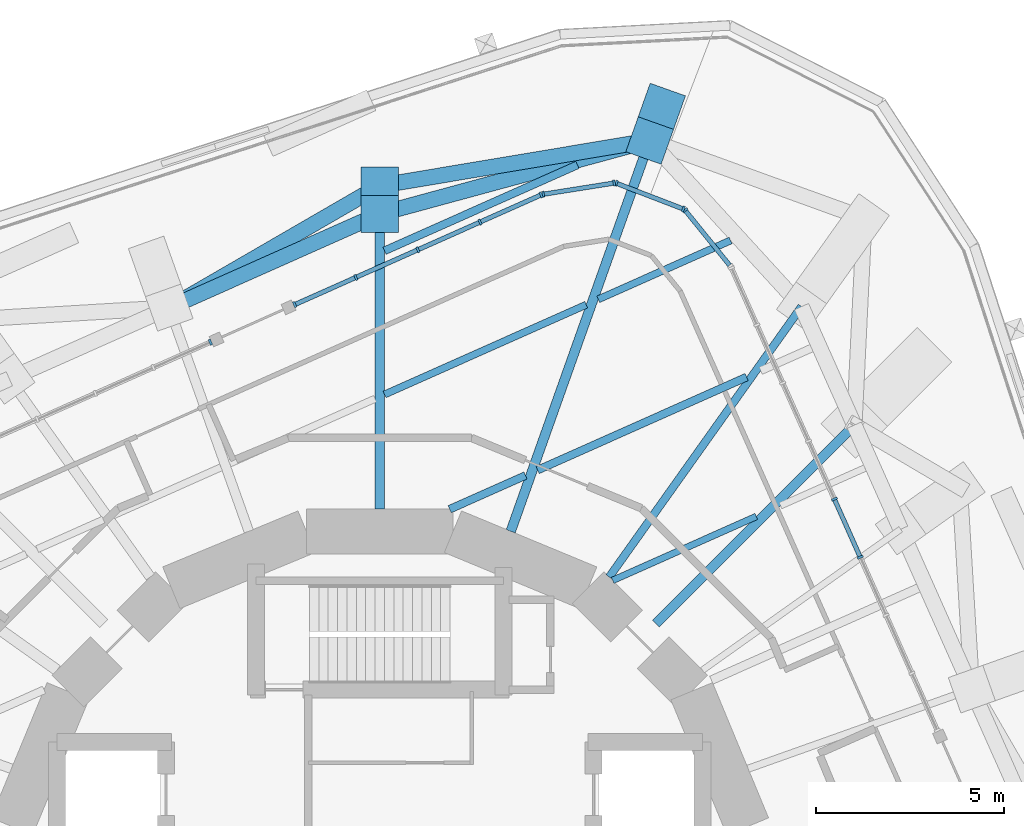
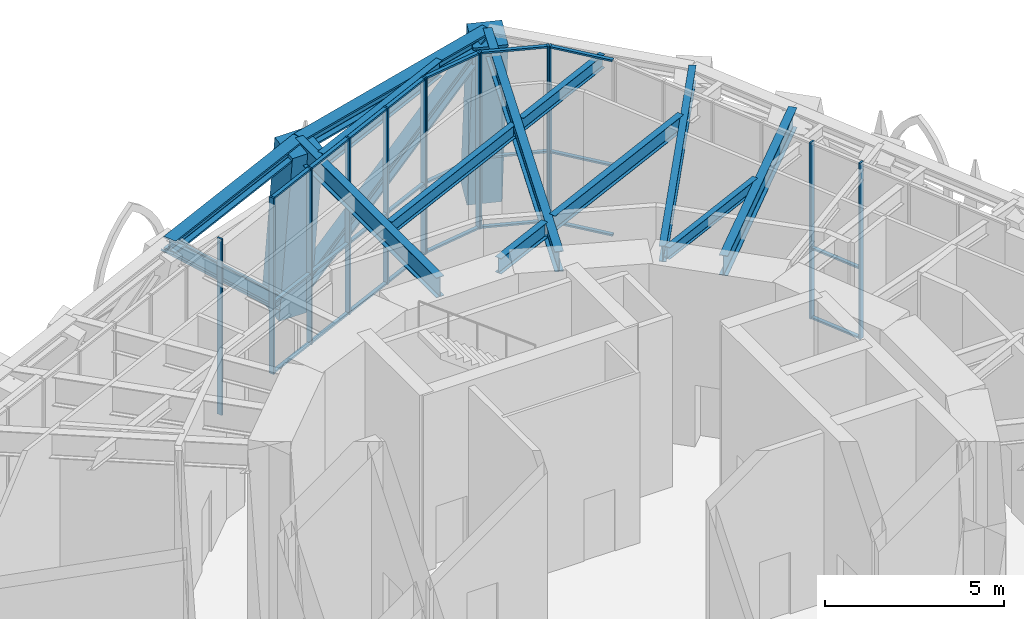
# One storey, part 8 of 18: 42 members, 10 beams, 6 elements without a shape of their own.
"""IFC4 building model written with IfcOpenShell, lengths in metres."""

from ifc_helpers import new_model, si_unit, direction, frame, origin, origin_2d, place, context, subcontext, project, spatial, rectangle, i_section, extrude, material, material_profile, profile_set, type_object, element, aggregate, save


model = new_model("IFC4")

# Units and contexts
model_context = context("Model", 3, precision=1e-05, world=origin(), true_north=direction((0.0, 1.0)))
body_context = subcontext(model_context, "Body", "Model", "MODEL_VIEW")
ifc_project = project(units=[si_unit("LENGTHUNIT", "METRE"), si_unit("AREAUNIT", "SQUARE_METRE"), si_unit("VOLUMEUNIT", "CUBIC_METRE"), si_unit("PLANEANGLEUNIT", "RADIAN"), si_unit("MASSUNIT", "GRAM", prefix="KILO")], contexts=[model_context])

# Site, building, storey
site_placement = place(None, origin())
site = spatial("IfcSite", under=ifc_project, at=site_placement, CompositionType="ELEMENT")
building_placement = place(site_placement, origin())
building = spatial("IfcBuilding", under=site, at=building_placement, Name="Nakasero Lantern House", CompositionType="ELEMENT")
storey_placement = place(building_placement, frame((0.0, 0.0, 176.449951171875)))
storey = spatial("IfcBuildingStorey", under=building, at=storey_placement, Name="L43", CompositionType="ELEMENT", Elevation=176.449951171875)

# Members
ifc_material_1 = material(Name="Steel S355", Category="steel")
ifc_material_profile_1 = material_profile(ifc_material_1, i_section(OverallWidth=0.412109375, OverallDepth=0.4365234375, WebThickness=0.035888671875, FlangeThickness=0.05810546875, FilletRadius=0.01513671875, at=origin_2d()), Name="UC 356x406x467")
ifc_profile_set_1 = profile_set([ifc_material_profile_1], Name="Steel S355")
member_type_1 = type_object("IfcMemberType", Name="Belt truss chord UC 356x406x467", PredefinedType="CHORD", material=ifc_profile_set_1)
member_1_placement = place(storey_placement, frame((7.19482421875, 20.2353515625, 5.581787109375), z_axis=(-0.965015017941, -0.26219461312, 0.0), x_axis=(0.26219461312, -0.965015017941, 0.0)))
element("IfcMember", 1, at=member_1_placement, inside=storey, type_object=member_type_1, Name="Belt truss top chord T4 B5-C08T", PredefinedType="CHORD", context=body_context, shape_type="SweptSolid", body=[
    extrude(i_section(OverallWidth=0.412109375, OverallDepth=0.4365234375, WebThickness=0.035888671875, FlangeThickness=0.05810546875, FilletRadius=0.01513671875, at=origin_2d()), origin(), (0.0, 0.0, 1.0), 7.45556640625),
])
member_2_placement = place(storey_placement, frame((0.0, 18.280517578125, 5.581787109375), z_axis=(-0.913532698569, -0.406765299215, 0.0), x_axis=(0.406765299215, -0.913532698569, 0.0)))
element("IfcMember", 2, at=member_2_placement, inside=storey, type_object=member_type_1, Name="Belt truss top chord T4 B5-C09T", PredefinedType="CHORD", context=body_context, shape_type="SweptSolid", body=[
    extrude(i_section(OverallWidth=0.412109375, OverallDepth=0.4365234375, WebThickness=0.035888671875, FlangeThickness=0.05810546875, FilletRadius=0.01513671875, at=origin_2d()), origin(), (0.0, 0.0, 1.0), 6.142333984375),
])
ifc_material_2 = material(Name="Steel S355", Category="steel")
ifc_material_profile_2 = material_profile(ifc_material_2, i_section(OverallWidth=0.412109375, OverallDepth=0.4365234375, WebThickness=0.035888671875, FlangeThickness=0.05810546875, FilletRadius=0.01513671875, at=origin_2d()), Name="UC 356x406x467")
ifc_profile_set_2 = profile_set([ifc_material_profile_2], Name="Steel S355")
member_type_2 = type_object("IfcMemberType", Name="Belt truss diagonal UC 356x406x467", PredefinedType="BRACE", material=ifc_profile_set_2)
member_3_placement = place(storey_placement, frame((7.19482421875, 20.2353515625, 5.581787109375), z_axis=(-0.761731318786, -0.127454941735, -0.635232741448), x_axis=(0.165028505636, -0.986288797628, 0.0)))
element("IfcMember", 3, at=member_3_placement, inside=storey, type_object=member_type_2, Name="Belt truss diagonal T4-08", PredefinedType="BRACE", context=body_context, shape_type="SweptSolid", body=[
    extrude(i_section(OverallWidth=0.412109375, OverallDepth=0.4365234375, WebThickness=0.035888671875, FlangeThickness=0.05810546875, FilletRadius=0.01513671875, at=origin_2d()), origin(), (0.0, 0.0, 1.0), 9.4453125),
])
member_4_placement = place(storey_placement, frame((0.0, 19.031494140625, -0.418212890625), z_axis=(-0.635169188668, -0.367825526504, 0.679164548412), x_axis=(0.501134222309, -0.865369569162, 0.0)))
element("IfcMember", 4, at=member_4_placement, inside=storey, type_object=member_type_2, Name="Belt truss diagonal T4-09", PredefinedType="BRACE", context=body_context, shape_type="SweptSolid", body=[
    extrude(i_section(OverallWidth=0.412109375, OverallDepth=0.4365234375, WebThickness=0.035888671875, FlangeThickness=0.05810546875, FilletRadius=0.01513671875, at=origin_2d()), origin(), (0.0, 0.0, 1.0), 8.83447265625),
])

# Beams
ifc_material_3 = material(Name="Steel S355", Category="steel")
ifc_material_profile_3 = material_profile(ifc_material_3, i_section(OverallWidth=0.177978515625, OverallDepth=0.406494140625, WebThickness=0.0078125, FlangeThickness=0.0126953125, FilletRadius=0.01025390625, at=origin_2d()), Name="UB 406x178x60")
ifc_profile_set_3 = profile_set([ifc_material_profile_3], Name="Steel S355")
beam_type_1 = type_object("IfcBeamType", Name="Infill beam UB 406x178x60", PredefinedType="JOIST", material=ifc_profile_set_3)
beam_1_placement = place(storey_placement, frame((6.2080078125, 8.5107421875, 5.596923828125), z_axis=(0.9135518518, 0.406722281258, 0.0), x_axis=(-0.406722281258, 0.9135518518, 0.0)))
element("IfcBeam", 5, at=beam_1_placement, inside=storey, type_object=beam_type_1, Name="Infill beam L44 09.3", PredefinedType="JOIST", context=body_context, shape_type="SweptSolid", body=[
    extrude(i_section(OverallWidth=0.177978515625, OverallDepth=0.406494140625, WebThickness=0.0078125, FlangeThickness=0.0126953125, FilletRadius=0.01025390625, at=origin_2d()), origin(), (0.0, 0.0, 1.0), 4.18994140625),
])
ifc_material_4 = material(Name="Steel S355", Category="steel")
ifc_material_profile_4 = material_profile(ifc_material_4, i_section(OverallWidth=0.18994140625, OverallDepth=0.453369140625, WebThickness=0.008544921875, FlangeThickness=0.0126953125, FilletRadius=0.01025390625, at=origin_2d()), Name="UB 457x191x67")
ifc_profile_set_4 = profile_set([ifc_material_profile_4], Name="Steel S355")
beam_type_2 = type_object("IfcBeamType", Name="Infill beam UB 457x191x67", PredefinedType="JOIST", material=ifc_profile_set_4)
beam_2_placement = place(storey_placement, frame((0.126953125, 13.4658203125, 5.5732421875), z_axis=(0.913551328744, 0.40672345611, 0.0), x_axis=(-0.40672345611, 0.913551328744, 0.0)))
element("IfcBeam", 6, at=beam_2_placement, inside=storey, type_object=beam_type_2, Name="Infill beam L44 11.7", PredefinedType="JOIST", context=body_context, shape_type="SweptSolid", body=[
    extrude(i_section(OverallWidth=0.18994140625, OverallDepth=0.453369140625, WebThickness=0.008544921875, FlangeThickness=0.0126953125, FilletRadius=0.01025390625, at=origin_2d()), origin(), (0.0, 0.0, 1.0), 5.885009765625),
])
beam_3_placement = place(storey_placement, frame((5.82568359375, 16.003173828125, 5.5732421875), z_axis=(0.913563480044, 0.406696161685, 0.0), x_axis=(-0.406696161685, 0.913563480044, 0.0)))
element("IfcBeam", 7, at=beam_3_placement, inside=storey, type_object=beam_type_2, Name="Infill beam L44 11.8", PredefinedType="JOIST", context=body_context, shape_type="SweptSolid", body=[
    extrude(i_section(OverallWidth=0.18994140625, OverallDepth=0.453369140625, WebThickness=0.008544921875, FlangeThickness=0.0126953125, FilletRadius=0.01025390625, at=origin_2d()), origin(), (0.0, 0.0, 1.0), 3.858154296875),
])
ifc_material_5 = material(Name="Steel S355", Category="steel")
ifc_material_profile_5 = material_profile(ifc_material_5, i_section(OverallWidth=0.2099609375, OverallDepth=0.53662109375, WebThickness=0.0107421875, FlangeThickness=0.017333984375, FilletRadius=0.0126953125, at=origin_2d()), Name="UB 533x210x101")
ifc_profile_set_5 = profile_set([ifc_material_profile_5], Name="Steel S355")
beam_type_3 = type_object("IfcBeamType", Name="Infill beam UB 533x210x101", PredefinedType="JOIST", material=ifc_profile_set_5)
beam_4_placement = place(storey_placement, frame((0.126953125, 17.297119140625, 5.53173828125), z_axis=(0.913550244227, 0.406725892061, 0.0), x_axis=(-0.406725892061, 0.913550244227, 0.0)))
element("IfcBeam", 8, at=beam_4_placement, inside=storey, type_object=beam_type_3, Name="Infill beam L44 12.3", PredefinedType="JOIST", context=body_context, shape_type="SweptSolid", body=[
    extrude(i_section(OverallWidth=0.2099609375, OverallDepth=0.53662109375, WebThickness=0.0107421875, FlangeThickness=0.017333984375, FilletRadius=0.0126953125, at=origin_2d()), origin(), (0.0, 0.0, 1.0), 5.629150390625),
])
ifc_material_6 = material(Name="Steel S355", Category="steel")
ifc_material_profile_6 = material_profile(ifc_material_6, i_section(OverallWidth=0.208740234375, OverallDepth=0.5283203125, WebThickness=0.009521484375, FlangeThickness=0.01318359375, FilletRadius=0.0126953125, at=origin_2d()), Name="UB 533x210x82")
ifc_profile_set_6 = profile_set([ifc_material_profile_6], Name="Steel S355")
beam_type_4 = type_object("IfcBeamType", Name="Infill beam UB 533x210x82", PredefinedType="JOIST", material=ifc_profile_set_6)
beam_5_placement = place(storey_placement, frame((1.86376953125, 10.407958984375, 5.535888671875), z_axis=(0.913570185623, 0.406681098577, 0.0), x_axis=(-0.406681098577, 0.913570185623, 0.0)))
element("IfcBeam", 9, at=beam_5_placement, inside=storey, type_object=beam_type_4, Name="Infill beam L44 10.3", PredefinedType="JOIST", context=body_context, shape_type="SweptSolid", body=[
    extrude(i_section(OverallWidth=0.208740234375, OverallDepth=0.5283203125, WebThickness=0.009521484375, FlangeThickness=0.01318359375, FilletRadius=0.0126953125, at=origin_2d()), origin(), (0.0, 0.0, 1.0), 2.212158203125),
])
beam_6_placement = place(storey_placement, frame((4.207275390625, 11.451171875, 5.535888671875), z_axis=(0.913533974993, 0.40676243255, 0.0), x_axis=(-0.40676243255, 0.913533974993, 0.0)))
element("IfcBeam", 10, at=beam_6_placement, inside=storey, type_object=beam_type_4, Name="Infill beam L44 10.4", PredefinedType="JOIST", context=body_context, shape_type="SweptSolid", body=[
    extrude(i_section(OverallWidth=0.208740234375, OverallDepth=0.5283203125, WebThickness=0.009521484375, FlangeThickness=0.01318359375, FilletRadius=0.0126953125, at=origin_2d()), origin(), (0.0, 0.0, 1.0), 6.09814453125),
])

# Curtain wall, members
ifc_material_7 = material(Name="Aluminium 6063-T6 and glass", Category="aluminium")
curtain_wall_type = type_object("IfcCurtainWallType", Name="Sky lounge glazing CW-3", PredefinedType="USERDEFINED", material=ifc_material_7)
curtain_wall_1_placement = place(storey_placement, origin())
curtain_wall_1 = element("IfcCurtainWall", 11, at=curtain_wall_1_placement, inside=storey, type_object=curtain_wall_type, Name="Curtain wall CW-3 L43", ObjectType="STICK CURTAIN WALL", PredefinedType="USERDEFINED")
ifc_material_8 = material(Name="Aluminium 6063-T6", Category="aluminium")
ifc_material_profile_7 = material_profile(ifc_material_8, rectangle(XDim=0.06005859375, YDim=0.159912109375, at=origin_2d()), Name="CW-3 mullion 60x160")
ifc_profile_set_7 = profile_set([ifc_material_profile_7], Name="Aluminium 6063-T6")
member_type_3 = type_object("IfcMemberType", Name="Mullion CW-3", PredefinedType="MULLION", material=ifc_profile_set_7)
member_5_placement = place(storey_placement, frame((12.806884765625, 9.129638671875, 0.0), z_axis=(0.0, 0.0, 1.0), x_axis=(-0.406736643076, 0.913545457643, 0.0)))
member_5 = element("IfcMember", 12, at=member_5_placement, type_object=member_type_3, Name="CW-3 mullion 4", PredefinedType="MULLION", context=body_context, shape_type="SweptSolid", body=[
    extrude(rectangle(XDim=0.06005859375, YDim=0.159912109375, at=origin_2d()), origin(), (0.0, 0.0, 1.0), 6.0),
])
member_6_placement = place(storey_placement, frame((12.117919921875, 10.677001953125, 0.0), z_axis=(0.0, 0.0, 1.0), x_axis=(-0.406736643076, 0.913545457643, 0.0)))
member_6 = element("IfcMember", 13, at=member_6_placement, type_object=member_type_3, Name="CW-3 mullion 5", PredefinedType="MULLION", context=body_context, shape_type="SweptSolid", body=[
    extrude(rectangle(XDim=0.06005859375, YDim=0.159912109375, at=origin_2d()), origin(), (0.0, 0.0, 1.0), 6.0),
])

# Curtain wall, member
curtain_wall_2_placement = place(storey_placement, origin())
curtain_wall_2 = element("IfcCurtainWall", 14, at=curtain_wall_2_placement, inside=storey, type_object=curtain_wall_type, Name="Curtain wall CW-3 L43", ObjectType="STICK CURTAIN WALL", PredefinedType="USERDEFINED")
member_7_placement = place(storey_placement, frame((8.13916015625, 18.376708984375, 0.0), z_axis=(0.0, 0.0, 1.0), x_axis=(-0.62932039105, 0.777145961457, 0.0)))
member_7 = element("IfcMember", 15, at=member_7_placement, type_object=member_type_3, Name="CW-3 mullion 2", PredefinedType="MULLION", context=body_context, shape_type="SweptSolid", body=[
    extrude(rectangle(XDim=0.06005859375, YDim=0.159912109375, at=origin_2d()), origin(), (0.0, 0.0, 1.0), 6.0),
])

# Curtain wall, members
curtain_wall_3_placement = place(storey_placement, origin())
curtain_wall_3 = element("IfcCurtainWall", 16, at=curtain_wall_3_placement, inside=storey, type_object=curtain_wall_type, Name="Curtain wall CW-3 L43", ObjectType="STICK CURTAIN WALL", PredefinedType="USERDEFINED")
member_8_placement = place(storey_placement, frame((8.09228515625, 18.410888671875, 0.0), z_axis=(0.0, 0.0, 1.0), x_axis=(-0.933580426497, 0.358367949545, 0.0)))
member_8 = element("IfcMember", 17, at=member_8_placement, type_object=member_type_3, Name="CW-3 mullion 1", PredefinedType="MULLION", context=body_context, shape_type="SweptSolid", body=[
    extrude(rectangle(XDim=0.06005859375, YDim=0.159912109375, at=origin_2d()), origin(), (0.0, 0.0, 1.0), 6.0),
])
member_9_placement = place(storey_placement, frame((6.3056640625, 19.0966796875, 0.0), z_axis=(0.0, 0.0, 1.0), x_axis=(-0.933580426497, 0.358367949545, 0.0)))
member_9 = element("IfcMember", 18, at=member_9_placement, type_object=member_type_3, Name="CW-3 mullion 2", PredefinedType="MULLION", context=body_context, shape_type="SweptSolid", body=[
    extrude(rectangle(XDim=0.06005859375, YDim=0.159912109375, at=origin_2d()), origin(), (0.0, 0.0, 1.0), 6.0),
])

curtain_wall_4_placement = place(storey_placement, origin())
curtain_wall_4 = element("IfcCurtainWall", 19, at=curtain_wall_4_placement, inside=storey, type_object=curtain_wall_type, Name="Curtain wall CW-3 L43", ObjectType="STICK CURTAIN WALL", PredefinedType="USERDEFINED")
member_10_placement = place(storey_placement, frame((6.247802734375, 19.102783203125, 0.0), z_axis=(0.0, 0.0, 1.0), x_axis=(-0.987688340595, -0.15643446504, 0.0)))
member_10 = element("IfcMember", 20, at=member_10_placement, type_object=member_type_3, Name="CW-3 mullion 1", PredefinedType="MULLION", context=body_context, shape_type="SweptSolid", body=[
    extrude(rectangle(XDim=0.06005859375, YDim=0.159912109375, at=origin_2d()), origin(), (0.0, 0.0, 1.0), 6.0),
])
member_11_placement = place(storey_placement, frame((4.357666015625, 18.80322265625, 0.0), z_axis=(0.0, 0.0, 1.0), x_axis=(-0.987688340595, -0.15643446504, 0.0)))
member_11 = element("IfcMember", 21, at=member_11_placement, type_object=member_type_3, Name="CW-3 mullion 2", PredefinedType="MULLION", context=body_context, shape_type="SweptSolid", body=[
    extrude(rectangle(XDim=0.06005859375, YDim=0.159912109375, at=origin_2d()), origin(), (0.0, 0.0, 1.0), 6.0),
])

curtain_wall_5_placement = place(storey_placement, origin())
curtain_wall_5 = element("IfcCurtainWall", 22, at=curtain_wall_5_placement, inside=storey, type_object=curtain_wall_type, Name="Curtain wall CW-3 L43", ObjectType="STICK CURTAIN WALL", PredefinedType="USERDEFINED")
member_12_placement = place(storey_placement, frame((4.30078125, 18.786376953125, 0.0), z_axis=(0.0, 0.0, 1.0), x_axis=(-0.913545457643, -0.406736643076, 0.0)))
member_12 = element("IfcMember", 23, at=member_12_placement, type_object=member_type_3, Name="CW-3 mullion 1", PredefinedType="MULLION", context=body_context, shape_type="SweptSolid", body=[
    extrude(rectangle(XDim=0.06005859375, YDim=0.159912109375, at=origin_2d()), origin(), (0.0, 0.0, 1.0), 6.0),
])
member_13_placement = place(storey_placement, frame((2.67236328125, 18.0615234375, 0.0), z_axis=(0.0, 0.0, 1.0), x_axis=(-0.913545457643, -0.406736643076, 0.0)))
member_13 = element("IfcMember", 24, at=member_13_placement, type_object=member_type_3, Name="CW-3 mullion 2", PredefinedType="MULLION", context=body_context, shape_type="SweptSolid", body=[
    extrude(rectangle(XDim=0.06005859375, YDim=0.159912109375, at=origin_2d()), origin(), (0.0, 0.0, 1.0), 6.0),
])
member_14_placement = place(storey_placement, frame((1.0166015625, 17.32421875, 0.0), z_axis=(0.0, 0.0, 1.0), x_axis=(-0.913545457643, -0.406736643076, 0.0)))
member_14 = element("IfcMember", 25, at=member_14_placement, type_object=member_type_3, Name="CW-3 mullion 3", PredefinedType="MULLION", context=body_context, shape_type="SweptSolid", body=[
    extrude(rectangle(XDim=0.06005859375, YDim=0.159912109375, at=origin_2d()), origin(), (0.0, 0.0, 1.0), 6.0),
])
member_15_placement = place(storey_placement, frame((-0.639404296875, 16.5869140625, 0.0), z_axis=(0.0, 0.0, 1.0), x_axis=(-0.913545457643, -0.406736643076, 0.0)))
member_15 = element("IfcMember", 26, at=member_15_placement, type_object=member_type_3, Name="CW-3 mullion 4", PredefinedType="MULLION", context=body_context, shape_type="SweptSolid", body=[
    extrude(rectangle(XDim=0.06005859375, YDim=0.159912109375, at=origin_2d()), origin(), (0.0, 0.0, 1.0), 6.0),
])
member_16_placement = place(storey_placement, frame((-2.267822265625, 15.862060546875, 0.0), z_axis=(0.0, 0.0, 1.0), x_axis=(-0.913545457643, -0.406736643076, 0.0)))
member_16 = element("IfcMember", 27, at=member_16_placement, type_object=member_type_3, Name="CW-3 mullion 5", PredefinedType="MULLION", context=body_context, shape_type="SweptSolid", body=[
    extrude(rectangle(XDim=0.06005859375, YDim=0.159912109375, at=origin_2d()), origin(), (0.0, 0.0, 1.0), 6.0),
])

# Curtain wall, member
curtain_wall_6_placement = place(storey_placement, origin())
curtain_wall_6 = element("IfcCurtainWall", 28, at=curtain_wall_6_placement, inside=storey, type_object=curtain_wall_type, Name="Curtain wall CW-3 L43", ObjectType="STICK CURTAIN WALL", PredefinedType="USERDEFINED")
member_17_placement = place(storey_placement, frame((-4.51513671875, 14.861328125, 0.0), z_axis=(0.0, 0.0, 1.0), x_axis=(-0.913545457643, -0.406736643076, 0.0)))
member_17 = element("IfcMember", 29, at=member_17_placement, type_object=member_type_3, Name="CW-3 mullion 1", PredefinedType="MULLION", context=body_context, shape_type="SweptSolid", body=[
    extrude(rectangle(XDim=0.06005859375, YDim=0.159912109375, at=origin_2d()), origin(), (0.0, 0.0, 1.0), 6.0),
])
aggregate(curtain_wall_6, [member_17])

# Beams
ifc_material_9 = material(Name="Steel S355", Category="steel")
ifc_material_profile_8 = material_profile(ifc_material_9, i_section(OverallWidth=0.2099609375, OverallDepth=0.53662109375, WebThickness=0.0107421875, FlangeThickness=0.017333984375, FilletRadius=0.0126953125, at=origin_2d()), Name="UB 533x210x101")
ifc_profile_set_8 = profile_set([ifc_material_profile_8], Name="Steel S355")
beam_type_5 = type_object("IfcBeamType", Name="Primary beam UB 533x210x101, span 6 to 9 m", PredefinedType="BEAM", material=ifc_profile_set_8)
beam_7_placement = place(storey_placement, frame((11.241943359375, 15.808837890625, 5.53173828125), z_axis=(-0.579536824926, -0.814946052543, 0.0), x_axis=(0.814946052543, -0.579536824926, 0.0)))
element("IfcBeam", 30, at=beam_7_placement, inside=storey, type_object=beam_type_5, Name="Primary beam L44 B5-C07T", PredefinedType="BEAM", context=body_context, shape_type="SweptSolid", body=[
    extrude(i_section(OverallWidth=0.2099609375, OverallDepth=0.53662109375, WebThickness=0.0107421875, FlangeThickness=0.017333984375, FilletRadius=0.0126953125, at=origin_2d()), origin(), (0.0, 0.0, 1.0), 8.84326171875),
])
ifc_material_10 = material(Name="Steel S355", Category="steel")
ifc_material_profile_9 = material_profile(ifc_material_10, i_section(OverallWidth=0.253662109375, OverallDepth=0.68359375, WebThickness=0.012451171875, FlangeThickness=0.01904296875, FilletRadius=0.01513671875, at=origin_2d()), Name="UB 686x254x140")
ifc_profile_set_9 = profile_set([ifc_material_profile_9], Name="Steel S355")
beam_type_6 = type_object("IfcBeamType", Name="Primary beam UB 686x254x140, span 6 to 9 m", PredefinedType="BEAM", material=ifc_profile_set_9)
beam_8_placement = place(storey_placement, frame((12.64892578125, 12.64892578125, 5.458251953125), z_axis=(-0.707106781187, -0.707106781187, 0.0), x_axis=(0.707106781187, -0.707106781187, 0.0)))
element("IfcBeam", 31, at=beam_8_placement, inside=storey, type_object=beam_type_6, Name="Primary beam L44 B5-C06T", PredefinedType="BEAM", context=body_context, shape_type="SweptSolid", body=[
    extrude(i_section(OverallWidth=0.253662109375, OverallDepth=0.68359375, WebThickness=0.012451171875, FlangeThickness=0.01904296875, FilletRadius=0.01513671875, at=origin_2d()), origin(), (0.0, 0.0, 1.0), 7.48046875),
])
beam_9_placement = place(storey_placement, frame((0.0, 18.280517578125, 5.458251953125), z_axis=(0.0, -1.0, 0.0), x_axis=(1.0, 0.0, 0.0)))
element("IfcBeam", 32, at=beam_9_placement, inside=storey, type_object=beam_type_6, Name="Primary beam L44 B5-C09T", PredefinedType="BEAM", context=body_context, shape_type="SweptSolid", body=[
    extrude(i_section(OverallWidth=0.253662109375, OverallDepth=0.68359375, WebThickness=0.012451171875, FlangeThickness=0.01904296875, FilletRadius=0.01513671875, at=origin_2d()), origin(), (0.0, 0.0, 1.0), 7.87255859375),
])
ifc_material_11 = material(Name="Steel S355", Category="steel")
ifc_material_profile_10 = material_profile(ifc_material_11, i_section(OverallWidth=0.255859375, OverallDepth=0.69287109375, WebThickness=0.014404296875, FlangeThickness=0.023681640625, FilletRadius=0.01513671875, at=origin_2d()), Name="UB 686x254x170")
ifc_profile_set_10 = profile_set([ifc_material_profile_10], Name="Steel S355")
beam_type_7 = type_object("IfcBeamType", Name="Primary beam UB 686x254x170, span 9 to 12 m", PredefinedType="BEAM", material=ifc_profile_set_10)
beam_10_placement = place(storey_placement, frame((7.19482421875, 20.2353515625, 5.45361328125), z_axis=(-0.335020995468, -0.942210662535, 0.0), x_axis=(0.942210662535, -0.335020995468, 0.0)))
element("IfcBeam", 33, at=beam_10_placement, inside=storey, type_object=beam_type_7, Name="Primary beam L44 B5-C08T", PredefinedType="BEAM", context=body_context, shape_type="SweptSolid", body=[
    extrude(i_section(OverallWidth=0.255859375, OverallDepth=0.69287109375, WebThickness=0.014404296875, FlangeThickness=0.023681640625, FilletRadius=0.01513671875, at=origin_2d()), origin(), (0.0, 0.0, 1.0), 11.054931640625),
])

# Members
ifc_material_12 = material(Name="Concrete C50/60", Category="concrete")
ifc_material_profile_11 = material_profile(ifc_material_12, rectangle(XDim=1.0, YDim=1.0, at=origin_2d()), Name="RC 1000x1000")
ifc_profile_set_11 = profile_set([ifc_material_profile_11], Name="Concrete C50/60")
member_type_4 = type_object("IfcMemberType", Name="Raking column RC 1000x1000 C50/60", PredefinedType="STRUT", material=ifc_profile_set_11)
member_18_placement = place(storey_placement, frame((7.5126953125, 21.129638671875, -0.418212890625), z_axis=(-0.052327886683, -0.147217395485, 0.987719003939), x_axis=(0.942247164288, -0.334918320476, 0.0)))
element("IfcMember", 34, at=member_18_placement, inside=storey, type_object=member_type_4, Name="Raking column B5-C08T L43", PredefinedType="STRUT", context=body_context, shape_type="SweptSolid", body=[
    extrude(rectangle(XDim=1.0, YDim=1.0, at=origin_2d()), origin(), (0.0, 0.0, 1.0), 6.07470703125),
])
member_19_placement = place(storey_placement, frame((0.0, 19.031494140625, -0.418212890625), z_axis=(0.0, -0.1241937487, 0.992257987009), x_axis=(1.0, 0.0, 0.0)))
element("IfcMember", 35, at=member_19_placement, inside=storey, type_object=member_type_4, Name="Raking column B5-C09T L43", PredefinedType="STRUT", context=body_context, shape_type="SweptSolid", body=[
    extrude(rectangle(XDim=1.0, YDim=1.0, at=origin_2d()), origin(), (0.0, 0.0, 1.0), 6.046875),
])

# Member
ifc_material_13 = material(Name="Aluminium 6063-T6", Category="aluminium")
ifc_material_profile_12 = material_profile(ifc_material_13, rectangle(XDim=0.06005859375, YDim=0.1201171875, at=origin_2d()), Name="CW-3 transom 60x120")
ifc_profile_set_12 = profile_set([ifc_material_profile_12], Name="Aluminium 6063-T6")
member_type_5 = type_object("IfcMemberType", Name="Transom CW-3", PredefinedType="USERDEFINED", material=ifc_profile_set_12)
member_20_placement = place(storey_placement, frame((12.794677734375, 9.156982421875, 0.030029296875), z_axis=(-0.406776183997, 0.913527851865, 0.0), x_axis=(0.0, 0.0, 1.0)))
member_20 = element("IfcMember", 36, at=member_20_placement, type_object=member_type_5, Name="CW-3 transom 4.1", ObjectType="TRANSOM", PredefinedType="USERDEFINED", context=body_context, shape_type="SweptSolid", body=[
    extrude(rectangle(XDim=0.06005859375, YDim=0.1201171875, at=origin_2d()), origin(), (0.0, 0.0, 1.0), 1.6337890625),
])

member_21_placement = place(storey_placement, frame((12.794677734375, 9.156982421875, 2.400146484375), z_axis=(-0.406776183997, 0.913527851865, 0.0), x_axis=(0.0, 0.0, 1.0)))
member_21 = element("IfcMember", 37, at=member_21_placement, type_object=member_type_5, Name="CW-3 transom 4.2", ObjectType="TRANSOM", PredefinedType="USERDEFINED", context=body_context, shape_type="SweptSolid", body=[
    extrude(rectangle(XDim=0.06005859375, YDim=0.1201171875, at=origin_2d()), origin(), (0.0, 0.0, 1.0), 1.6337890625),
])

aggregate(curtain_wall_1, [member_5, member_6, member_20, member_21])

member_22_placement = place(storey_placement, frame((9.324462890625, 16.912841796875, 0.030029296875), z_axis=(-0.629277788525, 0.777180458368, 0.0), x_axis=(0.0, 0.0, 1.0)))
member_22 = element("IfcMember", 38, at=member_22_placement, type_object=member_type_5, Name="CW-3 transom 1.1", ObjectType="TRANSOM", PredefinedType="USERDEFINED", context=body_context, shape_type="SweptSolid", body=[
    extrude(rectangle(XDim=0.06005859375, YDim=0.1201171875, at=origin_2d()), origin(), (0.0, 0.0, 1.0), 1.853759765625),
])

member_23_placement = place(storey_placement, frame((9.324462890625, 16.912841796875, 2.400146484375), z_axis=(-0.629277788525, 0.777180458368, 0.0), x_axis=(0.0, 0.0, 1.0)))
member_23 = element("IfcMember", 39, at=member_23_placement, type_object=member_type_5, Name="CW-3 transom 1.2", ObjectType="TRANSOM", PredefinedType="USERDEFINED", context=body_context, shape_type="SweptSolid", body=[
    extrude(rectangle(XDim=0.06005859375, YDim=0.1201171875, at=origin_2d()), origin(), (0.0, 0.0, 1.0), 1.853759765625),
])

member_24_placement = place(storey_placement, frame((9.324462890625, 16.912841796875, 5.969970703125), z_axis=(-0.629277788525, 0.777180458368, 0.0), x_axis=(0.0, 0.0, 1.0)))
member_24 = element("IfcMember", 40, at=member_24_placement, type_object=member_type_5, Name="CW-3 transom 1.3", ObjectType="TRANSOM", PredefinedType="USERDEFINED", context=body_context, shape_type="SweptSolid", body=[
    extrude(rectangle(XDim=0.06005859375, YDim=0.1201171875, at=origin_2d()), origin(), (0.0, 0.0, 1.0), 1.853759765625),
])

aggregate(curtain_wall_2, [member_7, member_22, member_23, member_24])

member_25_placement = place(storey_placement, frame((8.064208984375, 18.421630859375, 0.030029296875), z_axis=(-0.933589773422, 0.358343599024, 0.0), x_axis=(0.0, 0.0, 1.0)))
member_25 = element("IfcMember", 41, at=member_25_placement, type_object=member_type_5, Name="CW-3 transom 1.1", ObjectType="TRANSOM", PredefinedType="USERDEFINED", context=body_context, shape_type="SweptSolid", body=[
    extrude(rectangle(XDim=0.06005859375, YDim=0.1201171875, at=origin_2d()), origin(), (0.0, 0.0, 1.0), 1.853759765625),
])

member_26_placement = place(storey_placement, frame((8.064208984375, 18.421630859375, 2.400146484375), z_axis=(-0.933589773422, 0.358343599024, 0.0), x_axis=(0.0, 0.0, 1.0)))
member_26 = element("IfcMember", 42, at=member_26_placement, type_object=member_type_5, Name="CW-3 transom 1.2", ObjectType="TRANSOM", PredefinedType="USERDEFINED", context=body_context, shape_type="SweptSolid", body=[
    extrude(rectangle(XDim=0.06005859375, YDim=0.1201171875, at=origin_2d()), origin(), (0.0, 0.0, 1.0), 1.853759765625),
])

member_27_placement = place(storey_placement, frame((8.064208984375, 18.421630859375, 5.969970703125), z_axis=(-0.933589773422, 0.358343599024, 0.0), x_axis=(0.0, 0.0, 1.0)))
member_27 = element("IfcMember", 43, at=member_27_placement, type_object=member_type_5, Name="CW-3 transom 1.3", ObjectType="TRANSOM", PredefinedType="USERDEFINED", context=body_context, shape_type="SweptSolid", body=[
    extrude(rectangle(XDim=0.06005859375, YDim=0.1201171875, at=origin_2d()), origin(), (0.0, 0.0, 1.0), 1.853759765625),
])

aggregate(curtain_wall_3, [member_8, member_9, member_25, member_26, member_27])

member_28_placement = place(storey_placement, frame((6.21826171875, 19.097900390625, 0.030029296875), z_axis=(-0.987703088658, -0.156341321008, 0.0), x_axis=(0.0, 0.0, 1.0)))
member_28 = element("IfcMember", 44, at=member_28_placement, type_object=member_type_5, Name="CW-3 transom 1.1", ObjectType="TRANSOM", PredefinedType="USERDEFINED", context=body_context, shape_type="SweptSolid", body=[
    extrude(rectangle(XDim=0.06005859375, YDim=0.1201171875, at=origin_2d()), origin(), (0.0, 0.0, 1.0), 1.853515625),
])

member_29_placement = place(storey_placement, frame((6.21826171875, 19.097900390625, 2.400146484375), z_axis=(-0.987703088658, -0.156341321008, 0.0), x_axis=(0.0, 0.0, 1.0)))
member_29 = element("IfcMember", 45, at=member_29_placement, type_object=member_type_5, Name="CW-3 transom 1.2", ObjectType="TRANSOM", PredefinedType="USERDEFINED", context=body_context, shape_type="SweptSolid", body=[
    extrude(rectangle(XDim=0.06005859375, YDim=0.1201171875, at=origin_2d()), origin(), (0.0, 0.0, 1.0), 1.853515625),
])

member_30_placement = place(storey_placement, frame((6.21826171875, 19.097900390625, 5.969970703125), z_axis=(-0.987703088658, -0.156341321008, 0.0), x_axis=(0.0, 0.0, 1.0)))
member_30 = element("IfcMember", 46, at=member_30_placement, type_object=member_type_5, Name="CW-3 transom 1.3", ObjectType="TRANSOM", PredefinedType="USERDEFINED", context=body_context, shape_type="SweptSolid", body=[
    extrude(rectangle(XDim=0.06005859375, YDim=0.1201171875, at=origin_2d()), origin(), (0.0, 0.0, 1.0), 1.853515625),
])

aggregate(curtain_wall_4, [member_10, member_11, member_28, member_29, member_30])

member_31_placement = place(storey_placement, frame((4.273193359375, 18.774169921875, 0.030029296875), z_axis=(-0.913571731571, -0.406677625737, 0.0), x_axis=(0.0, 0.0, 1.0)))
member_31 = element("IfcMember", 47, at=member_31_placement, type_object=member_type_5, Name="CW-3 transom 1.1", ObjectType="TRANSOM", PredefinedType="USERDEFINED", context=body_context, shape_type="SweptSolid", body=[
    extrude(rectangle(XDim=0.06005859375, YDim=0.1201171875, at=origin_2d()), origin(), (0.0, 0.0, 1.0), 1.722412109375),
])

member_32_placement = place(storey_placement, frame((4.273193359375, 18.774169921875, 2.400146484375), z_axis=(-0.913571731571, -0.406677625737, 0.0), x_axis=(0.0, 0.0, 1.0)))
member_32 = element("IfcMember", 48, at=member_32_placement, type_object=member_type_5, Name="CW-3 transom 1.2", ObjectType="TRANSOM", PredefinedType="USERDEFINED", context=body_context, shape_type="SweptSolid", body=[
    extrude(rectangle(XDim=0.06005859375, YDim=0.1201171875, at=origin_2d()), origin(), (0.0, 0.0, 1.0), 1.722412109375),
])

member_33_placement = place(storey_placement, frame((4.273193359375, 18.774169921875, 5.969970703125), z_axis=(-0.913571731571, -0.406677625737, 0.0), x_axis=(0.0, 0.0, 1.0)))
member_33 = element("IfcMember", 49, at=member_33_placement, type_object=member_type_5, Name="CW-3 transom 1.3", ObjectType="TRANSOM", PredefinedType="USERDEFINED", context=body_context, shape_type="SweptSolid", body=[
    extrude(rectangle(XDim=0.06005859375, YDim=0.1201171875, at=origin_2d()), origin(), (0.0, 0.0, 1.0), 1.722412109375),
])

member_34_placement = place(storey_placement, frame((2.644775390625, 18.04931640625, 0.030029296875), z_axis=(-0.913512556201, -0.406810532882, 0.0), x_axis=(0.0, 0.0, 1.0)))
member_34 = element("IfcMember", 50, at=member_34_placement, type_object=member_type_5, Name="CW-3 transom 2.1", ObjectType="TRANSOM", PredefinedType="USERDEFINED", context=body_context, shape_type="SweptSolid", body=[
    extrude(rectangle(XDim=0.06005859375, YDim=0.1201171875, at=origin_2d()), origin(), (0.0, 0.0, 1.0), 1.75244140625),
])

member_35_placement = place(storey_placement, frame((2.644775390625, 18.04931640625, 2.400146484375), z_axis=(-0.913512556201, -0.406810532882, 0.0), x_axis=(0.0, 0.0, 1.0)))
member_35 = element("IfcMember", 51, at=member_35_placement, type_object=member_type_5, Name="CW-3 transom 2.2", ObjectType="TRANSOM", PredefinedType="USERDEFINED", context=body_context, shape_type="SweptSolid", body=[
    extrude(rectangle(XDim=0.06005859375, YDim=0.1201171875, at=origin_2d()), origin(), (0.0, 0.0, 1.0), 1.75244140625),
])

member_36_placement = place(storey_placement, frame((2.644775390625, 18.04931640625, 5.969970703125), z_axis=(-0.913512556201, -0.406810532882, 0.0), x_axis=(0.0, 0.0, 1.0)))
member_36 = element("IfcMember", 52, at=member_36_placement, type_object=member_type_5, Name="CW-3 transom 2.3", ObjectType="TRANSOM", PredefinedType="USERDEFINED", context=body_context, shape_type="SweptSolid", body=[
    extrude(rectangle(XDim=0.06005859375, YDim=0.1201171875, at=origin_2d()), origin(), (0.0, 0.0, 1.0), 1.75244140625),
])

member_37_placement = place(storey_placement, frame((0.989013671875, 17.31201171875, 0.030029296875), z_axis=(-0.913512556201, -0.406810532882, 0.0), x_axis=(0.0, 0.0, 1.0)))
member_37 = element("IfcMember", 53, at=member_37_placement, type_object=member_type_5, Name="CW-3 transom 3.1", ObjectType="TRANSOM", PredefinedType="USERDEFINED", context=body_context, shape_type="SweptSolid", body=[
    extrude(rectangle(XDim=0.06005859375, YDim=0.1201171875, at=origin_2d()), origin(), (0.0, 0.0, 1.0), 1.75244140625),
])

member_38_placement = place(storey_placement, frame((0.989013671875, 17.31201171875, 2.400146484375), z_axis=(-0.913512556201, -0.406810532882, 0.0), x_axis=(0.0, 0.0, 1.0)))
member_38 = element("IfcMember", 54, at=member_38_placement, type_object=member_type_5, Name="CW-3 transom 3.2", ObjectType="TRANSOM", PredefinedType="USERDEFINED", context=body_context, shape_type="SweptSolid", body=[
    extrude(rectangle(XDim=0.06005859375, YDim=0.1201171875, at=origin_2d()), origin(), (0.0, 0.0, 1.0), 1.75244140625),
])

member_39_placement = place(storey_placement, frame((0.989013671875, 17.31201171875, 5.969970703125), z_axis=(-0.913512556201, -0.406810532882, 0.0), x_axis=(0.0, 0.0, 1.0)))
member_39 = element("IfcMember", 55, at=member_39_placement, type_object=member_type_5, Name="CW-3 transom 3.3", ObjectType="TRANSOM", PredefinedType="USERDEFINED", context=body_context, shape_type="SweptSolid", body=[
    extrude(rectangle(XDim=0.06005859375, YDim=0.1201171875, at=origin_2d()), origin(), (0.0, 0.0, 1.0), 1.75244140625),
])

member_40_placement = place(storey_placement, frame((-0.666748046875, 16.57470703125, 0.030029296875), z_axis=(-0.913571731571, -0.406677625737, 0.0), x_axis=(0.0, 0.0, 1.0)))
member_40 = element("IfcMember", 56, at=member_40_placement, type_object=member_type_5, Name="CW-3 transom 4.1", ObjectType="TRANSOM", PredefinedType="USERDEFINED", context=body_context, shape_type="SweptSolid", body=[
    extrude(rectangle(XDim=0.06005859375, YDim=0.1201171875, at=origin_2d()), origin(), (0.0, 0.0, 1.0), 1.722412109375),
])

member_41_placement = place(storey_placement, frame((-0.666748046875, 16.57470703125, 2.400146484375), z_axis=(-0.913571731571, -0.406677625737, 0.0), x_axis=(0.0, 0.0, 1.0)))
member_41 = element("IfcMember", 57, at=member_41_placement, type_object=member_type_5, Name="CW-3 transom 4.2", ObjectType="TRANSOM", PredefinedType="USERDEFINED", context=body_context, shape_type="SweptSolid", body=[
    extrude(rectangle(XDim=0.06005859375, YDim=0.1201171875, at=origin_2d()), origin(), (0.0, 0.0, 1.0), 1.722412109375),
])

member_42_placement = place(storey_placement, frame((-0.666748046875, 16.57470703125, 5.969970703125), z_axis=(-0.913571731571, -0.406677625737, 0.0), x_axis=(0.0, 0.0, 1.0)))
member_42 = element("IfcMember", 58, at=member_42_placement, type_object=member_type_5, Name="CW-3 transom 4.3", ObjectType="TRANSOM", PredefinedType="USERDEFINED", context=body_context, shape_type="SweptSolid", body=[
    extrude(rectangle(XDim=0.06005859375, YDim=0.1201171875, at=origin_2d()), origin(), (0.0, 0.0, 1.0), 1.722412109375),
])

aggregate(curtain_wall_5, [member_12, member_13, member_14, member_15, member_16, member_31, member_32, member_33, member_34, member_35, member_36, member_37, member_38, member_39, member_40, member_41, member_42])

save(model, "model.ifc")
